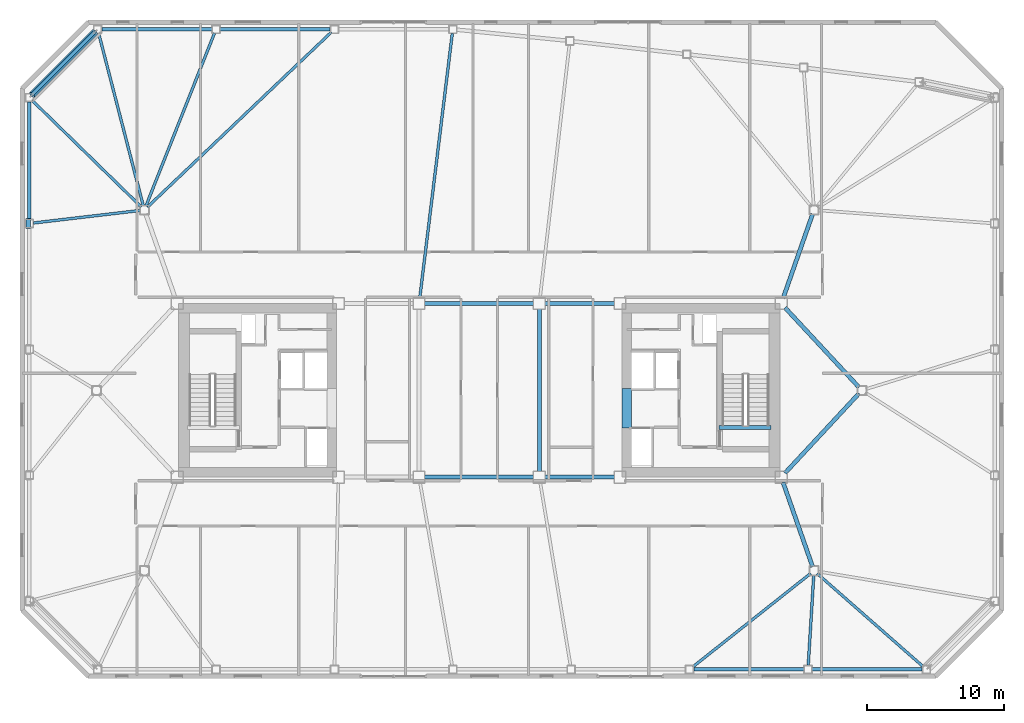
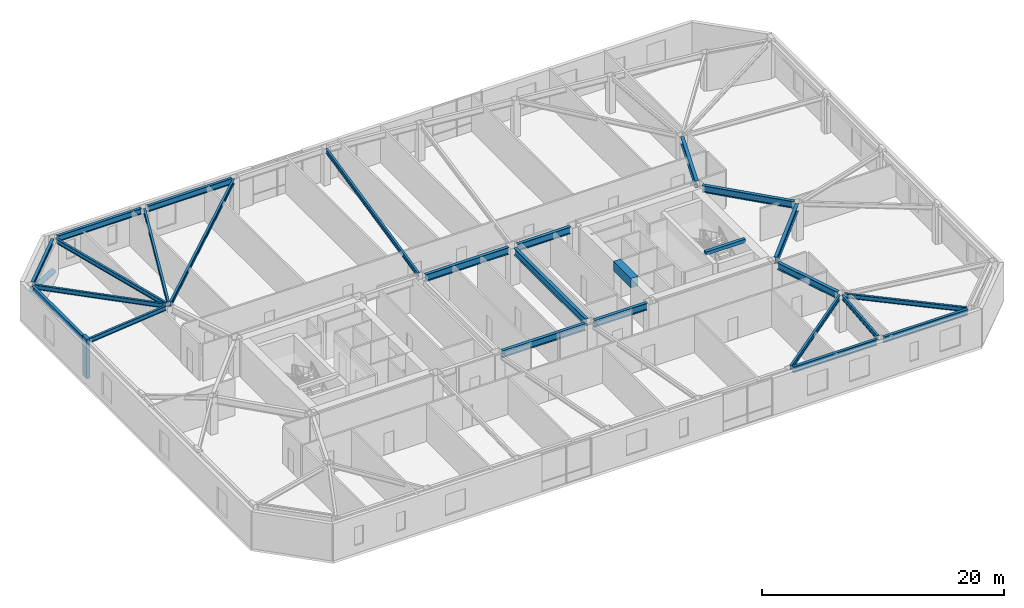
# One storey, part 5 of 18: 26 beams, 2 members.
"""IFC4 building model written with IfcOpenShell, lengths in metres."""

from ifc_helpers import new_model, si_unit, direction, frame, origin, origin_2d, place, context, subcontext, project, spatial, rectangle, hollow_circle, i_section, extrude, material, material_profile, profile_set, type_object, element, save


model = new_model("IFC4")

# Units and contexts
model_context = context("Model", 3, precision=1e-05, world=origin(), true_north=direction((0.0, 1.0)))
body_context = subcontext(model_context, "Body", "Model", "MODEL_VIEW")
ifc_project = project(units=[si_unit("LENGTHUNIT", "METRE"), si_unit("AREAUNIT", "SQUARE_METRE"), si_unit("VOLUMEUNIT", "CUBIC_METRE"), si_unit("PLANEANGLEUNIT", "RADIAN"), si_unit("MASSUNIT", "GRAM", prefix="KILO")], contexts=[model_context])

# Site, building, storey
site_placement = place(None, origin())
site = spatial("IfcSite", under=ifc_project, at=site_placement, CompositionType="ELEMENT")
building_placement = place(site_placement, origin())
building = spatial("IfcBuilding", under=site, at=building_placement, Name="Tavrogorsk Clinical Tower", CompositionType="ELEMENT")
storey_placement = place(building_placement, frame((0.0, 0.0, 200.199951171875)))
storey = spatial("IfcBuildingStorey", under=building, at=storey_placement, Name="L46", CompositionType="ELEMENT", Elevation=200.199951171875)

# Beam
ifc_material_1 = material(Name="Concrete B80", Category="concrete")
ifc_material_profile_1 = material_profile(ifc_material_1, rectangle(XDim=0.699951171875, YDim=0.949951171875, at=origin_2d()), Name="RC-CB-700x950")
ifc_profile_set_1 = profile_set([ifc_material_profile_1], Name="Concrete B80")
beam_type_1 = type_object("IfcBeamType", Name="CouplingBeam_RC700x950", PredefinedType="LINTEL", material=ifc_profile_set_1)
beam_1_placement = place(storey_placement, frame((10.800048828125, -2.75, 3.26513671875), z_axis=(0.0, 1.0, 0.0), x_axis=(-1.0, 0.0, 0.0)))
element("IfcBeam", 1, at=beam_1_placement, inside=storey, type_object=beam_type_1, Name="L46 Core East Coupling Beam", PredefinedType="LINTEL", context=body_context, shape_type="SweptSolid", body=[
    extrude(rectangle(XDim=0.699951171875, YDim=0.949951171875, at=origin_2d()), origin(), (0.0, 0.0, 1.0), 2.89990234375),
])

# Member
ifc_material_2 = material(Name="Structural steel S440", Category="steel")
ifc_material_profile_2 = material_profile(ifc_material_2, hollow_circle(Radius=0.25390625, WallThickness=0.02001953125, at=origin_2d()), Name="CHS-508x20")
ifc_profile_set_2 = profile_set([ifc_material_profile_2], Name="Structural steel S440")
member_type_1 = type_object("IfcMemberType", Name="ExoBrace_CHS508", PredefinedType="BRACE", material=ifc_profile_set_2)
member_1_placement = place(storey_placement, frame((-28.12255859375, 26.217529296875, 0.4130859375), z_axis=(-0.657758524103, -0.657758524103, 0.367025132572), x_axis=(0.707106781187, -0.707106781187, 0.0)))
element("IfcMember", 2, at=member_1_placement, inside=storey, type_object=member_type_1, Name="L46 Corner Exoskeleton Brace N8-W1", PredefinedType="BRACE", context=body_context, shape_type="SweptSolid", body=[
    extrude(hollow_circle(Radius=0.25390625, WallThickness=0.02001953125, at=origin_2d()), origin(), (0.0, 0.0, 1.0), 6.98583984375),
])

# Beams
ifc_material_3 = material(Name="Structural steel S355", Category="steel")
ifc_material_profile_3 = material_profile(ifc_material_3, i_section(OverallWidth=0.199951171875, OverallDepth=0.449951171875, WebThickness=0.011474609375, FlangeThickness=0.01806640625, at=origin_2d()), Name="B-450x200x11.5x18")
ifc_profile_set_3 = profile_set([ifc_material_profile_3], Name="Structural steel S355")
beam_type_2 = type_object("IfcBeamType", Name="FloorBeam_B450", PredefinedType="BEAM", material=ifc_profile_set_3)
beam_2_placement = place(storey_placement, frame((24.257080078125, -13.392578125, 3.51513671875), z_axis=(-0.783561002819, -0.621314859682, 0.0), x_axis=(0.621314859682, -0.783561002819, 0.0)))
element("IfcBeam", 3, at=beam_2_placement, inside=storey, type_object=beam_type_2, Name="L46 Radial Floor Beam S6", PredefinedType="BEAM", context=body_context, shape_type="SweptSolid", body=[
    extrude(i_section(OverallWidth=0.199951171875, OverallDepth=0.449951171875, WebThickness=0.011474609375, FlangeThickness=0.01806640625, at=origin_2d()), origin(), (0.0, 0.0, 1.0), 11.002685546875),
])
beam_3_placement = place(storey_placement, frame((24.48095703125, -13.509521484375, 3.51513671875), z_axis=(-0.061224865528, -0.998123998229, 0.0), x_axis=(0.998123998229, -0.061224865528, 0.0)))
element("IfcBeam", 4, at=beam_3_placement, inside=storey, type_object=beam_type_2, Name="L46 Radial Floor Beam S7", PredefinedType="BEAM", context=body_context, shape_type="SweptSolid", body=[
    extrude(i_section(OverallWidth=0.199951171875, OverallDepth=0.449951171875, WebThickness=0.011474609375, FlangeThickness=0.01806640625, at=origin_2d()), origin(), (0.0, 0.0, 1.0), 6.615478515625),
])
beam_4_placement = place(storey_placement, frame((24.73291015625, -13.404541015625, 3.51513671875), z_axis=(0.751322664981, -0.659935037019, 0.0), x_axis=(0.659935037019, 0.751322664981, 0.0)))
element("IfcBeam", 5, at=beam_4_placement, inside=storey, type_object=beam_type_2, Name="L46 Radial Floor Beam S8", PredefinedType="BEAM", context=body_context, shape_type="SweptSolid", body=[
    extrude(i_section(OverallWidth=0.199951171875, OverallDepth=0.449951171875, WebThickness=0.011474609375, FlangeThickness=0.01806640625, at=origin_2d()), origin(), (0.0, 0.0, 1.0), 10.322509765625),
])
beam_5_placement = place(storey_placement, frame((-4.349853515625, 6.7568359375, 3.51513671875), z_axis=(0.122074764034, 0.992520907581, 0.0), x_axis=(-0.992520907581, 0.122074764034, 0.0)))
element("IfcBeam", 6, at=beam_5_placement, inside=storey, type_object=beam_type_2, Name="L46 Radial Floor Beam N5", PredefinedType="BEAM", context=body_context, shape_type="SweptSolid", body=[
    extrude(i_section(OverallWidth=0.199951171875, OverallDepth=0.449951171875, WebThickness=0.011474609375, FlangeThickness=0.01806640625, at=origin_2d()), origin(), (0.0, 0.0, 1.0), 19.503173828125),
])
beam_6_placement = place(storey_placement, frame((-24.275390625, 13.41357421875, 3.51513671875), z_axis=(0.724748919983, 0.689013064451, 0.0), x_axis=(-0.689013064451, 0.724748919983, 0.0)))
element("IfcBeam", 7, at=beam_6_placement, inside=storey, type_object=beam_type_2, Name="L46 Radial Floor Beam N6", PredefinedType="BEAM", context=body_context, shape_type="SweptSolid", body=[
    extrude(i_section(OverallWidth=0.199951171875, OverallDepth=0.449951171875, WebThickness=0.011474609375, FlangeThickness=0.01806640625, at=origin_2d()), origin(), (0.0, 0.0, 1.0), 18.56884765625),
])
beam_7_placement = place(storey_placement, frame((-24.3857421875, 13.48828125, 3.51513671875), z_axis=(0.368659944508, 0.929564330918, 0.0), x_axis=(-0.929564330918, 0.368659944508, 0.0)))
element("IfcBeam", 8, at=beam_7_placement, inside=storey, type_object=beam_type_2, Name="L46 Radial Floor Beam N7", PredefinedType="BEAM", context=body_context, shape_type="SweptSolid", body=[
    extrude(i_section(OverallWidth=0.199951171875, OverallDepth=0.449951171875, WebThickness=0.011474609375, FlangeThickness=0.01806640625, at=origin_2d()), origin(), (0.0, 0.0, 1.0), 13.603759765625),
])
beam_8_placement = place(storey_placement, frame((-24.57763671875, 13.5, 3.51513671875), z_axis=(-0.250445465048, 0.968130708653, 0.0), x_axis=(-0.968130708653, -0.250445465048, 0.0)))
element("IfcBeam", 9, at=beam_8_placement, inside=storey, type_object=beam_type_2, Name="L46 Radial Floor Beam N8", PredefinedType="BEAM", context=body_context, shape_type="SweptSolid", body=[
    extrude(i_section(OverallWidth=0.199951171875, OverallDepth=0.449951171875, WebThickness=0.011474609375, FlangeThickness=0.01806640625, at=origin_2d()), origin(), (0.0, 0.0, 1.0), 13.037353515625),
])
beam_9_placement = place(storey_placement, frame((-24.721923828125, 13.41650390625, 3.51513671875), z_axis=(-0.715552053538, 0.698559416712, 0.0), x_axis=(-0.698559416712, -0.715552053538, 0.0)))
element("IfcBeam", 10, at=beam_9_placement, inside=storey, type_object=beam_type_2, Name="L46 Radial Floor Beam W1", PredefinedType="BEAM", context=body_context, shape_type="SweptSolid", body=[
    extrude(i_section(OverallWidth=0.199951171875, OverallDepth=0.449951171875, WebThickness=0.011474609375, FlangeThickness=0.01806640625, at=origin_2d()), origin(), (0.0, 0.0, 1.0), 11.149169921875),
])
beam_10_placement = place(storey_placement, frame((-24.807861328125, 13.163818359375, 3.51513671875), z_axis=(-0.993156539687, -0.116790785927, 0.0), x_axis=(0.116790785927, -0.993156539687, 0.0)))
element("IfcBeam", 11, at=beam_10_placement, inside=storey, type_object=beam_type_2, Name="L46 Radial Floor Beam W2", PredefinedType="BEAM", context=body_context, shape_type="SweptSolid", body=[
    extrude(i_section(OverallWidth=0.199951171875, OverallDepth=0.449951171875, WebThickness=0.011474609375, FlangeThickness=0.01806640625, at=origin_2d()), origin(), (0.0, 0.0, 1.0), 7.85986328125),
])

# Member
ifc_material_4 = material(Name="Precast concrete B45 with limestone cladding", Category="masonry")
ifc_material_profile_4 = material_profile(ifc_material_4, rectangle(XDim=0.320068359375, YDim=0.719970703125, at=origin_2d()), Name="LIMESTONE-FIN-320x720")
ifc_profile_set_4 = profile_set([ifc_material_profile_4], Name="Precast concrete B45 with limestone cladding")
member_type_2 = type_object("IfcMemberType", Name="LimestonePleatFin_320x720", PredefinedType="USERDEFINED", material=ifc_profile_set_4)
member_2_placement = place(storey_placement, frame((-33.0, 12.2099609375, 0.0), z_axis=(0.0, 0.0, 1.0), x_axis=(1.0, 0.0, 0.0)))
element("IfcMember", 12, at=member_2_placement, inside=storey, type_object=member_type_2, Name="L46 W Pleated Stone Fin 1", ObjectType="FIN", PredefinedType="USERDEFINED", context=body_context, shape_type="SweptSolid", body=[
    extrude(rectangle(XDim=0.320068359375, YDim=0.719970703125, at=origin_2d()), origin(), (0.0, 0.0, 1.0), 4.0),
])

# Beams
ifc_material_5 = material(Name="Structural steel S390", Category="steel")
ifc_material_profile_5 = material_profile(ifc_material_5, i_section(OverallWidth=0.300048828125, OverallDepth=0.699951171875, WebThickness=0.01708984375, FlangeThickness=0.028076171875, at=origin_2d()), Name="B-700x300x17x28")
ifc_profile_set_5 = profile_set([ifc_material_profile_5], Name="Structural steel S390")
beam_type_3 = type_object("IfcBeamType", Name="PrimaryGirder_B700", PredefinedType="USERDEFINED", material=ifc_profile_set_5)
for number, where, z_axis, x_axis, name in (
    (13, (-3.989990234375, -6.35009765625, 3.39013671875), (1.0, 0.0, 0.0), (0.0, 1.0, 0.0), "L46 Primary Spine Girder MG-03"),
    (14, (-3.989990234375, 6.35009765625, 3.39013671875), (1.0, 0.0, 0.0), (0.0, 1.0, 0.0), "L46 Primary Spine Girder MG-04"),
):
    element("IfcBeam", number, at=place(storey_placement, frame(where, z_axis=z_axis, x_axis=x_axis)), inside=storey, type_object=beam_type_3, Name=name, ObjectType="GIRDER", PredefinedType="USERDEFINED", context=body_context, shape_type="SweptSolid", body=[
        extrude(i_section(OverallWidth=0.300048828125, OverallDepth=0.699951171875, WebThickness=0.01708984375, FlangeThickness=0.028076171875, at=origin_2d()), origin(), (0.0, 0.0, 1.0), 7.97998046875),
    ])
for number, where, z_axis, x_axis, name in (
    (15, (4.81005859375, -6.35009765625, 3.39013671875), (1.0, 0.0, 0.0), (0.0, 1.0, 0.0), "L46 Primary Spine Girder MG-05"),
    (16, (4.81005859375, 6.35009765625, 3.39013671875), (1.0, 0.0, 0.0), (0.0, 1.0, 0.0), "L46 Primary Spine Girder MG-06"),
):
    element("IfcBeam", number, at=place(storey_placement, frame(where, z_axis=z_axis, x_axis=x_axis)), inside=storey, type_object=beam_type_3, Name=name, ObjectType="GIRDER", PredefinedType="USERDEFINED", context=body_context, shape_type="SweptSolid", body=[
        extrude(i_section(OverallWidth=0.300048828125, OverallDepth=0.699951171875, WebThickness=0.01708984375, FlangeThickness=0.028076171875, at=origin_2d()), origin(), (0.0, 0.0, 1.0), 5.079833984375),
    ])
beam_11_placement = place(storey_placement, frame((4.39990234375, -5.93994140625, 3.39013671875), z_axis=(0.0, 1.0, 0.0), x_axis=(-1.0, 0.0, 0.0)))
element("IfcBeam", 17, at=beam_11_placement, inside=storey, type_object=beam_type_3, Name="L46 Primary Spine Girder MG-08", ObjectType="GIRDER", PredefinedType="USERDEFINED", context=body_context, shape_type="SweptSolid", body=[
    extrude(i_section(OverallWidth=0.300048828125, OverallDepth=0.699951171875, WebThickness=0.01708984375, FlangeThickness=0.028076171875, at=origin_2d()), origin(), (0.0, 0.0, 1.0), 11.8798828125),
])
for number, where, z_axis, x_axis, name in (
    (18, (24.3974609375, -12.907470703125, 3.39013671875), (-0.33065312634, 0.94375235631, 0.0), (-0.94375235631, -0.33065312634, 0.0), "L46 Spine Link Girder OPG-2"),
    (19, (24.3974609375, 12.907470703125, 3.39013671875), (-0.33065312634, -0.94375235631, 0.0), (0.94375235631, -0.33065312634, 0.0), "L46 Spine Link Girder OPG-4"),
):
    element("IfcBeam", number, at=place(storey_placement, frame(where, z_axis=z_axis, x_axis=x_axis)), inside=storey, type_object=beam_type_3, Name=name, ObjectType="GIRDER", PredefinedType="USERDEFINED", context=body_context, shape_type="SweptSolid", body=[
        extrude(i_section(OverallWidth=0.300048828125, OverallDepth=0.699951171875, WebThickness=0.01708984375, FlangeThickness=0.028076171875, at=origin_2d()), origin(), (0.0, 0.0, 1.0), 6.5380859375),
    ])
for number, where, z_axis, x_axis, name in (
    (20, (27.7890625, -0.22705078125, 3.39013671875), (-0.680673750312, -0.732586681312, 0.0), (0.732586681312, -0.680673750312, 0.0), "L46 Spine Link Girder OPG-7"),
    (21, (27.7890625, 0.22705078125, 3.39013671875), (-0.680673750312, 0.732586681312, 0.0), (-0.732586681312, -0.680673750312, 0.0), "L46 Spine Link Girder OPG-8"),
):
    element("IfcBeam", number, at=place(storey_placement, frame(where, z_axis=z_axis, x_axis=x_axis)), inside=storey, type_object=beam_type_3, Name=name, ObjectType="GIRDER", PredefinedType="USERDEFINED", context=body_context, shape_type="SweptSolid", body=[
        extrude(i_section(OverallWidth=0.300048828125, OverallDepth=0.699951171875, WebThickness=0.01708984375, FlangeThickness=0.028076171875, at=origin_2d()), origin(), (0.0, 0.0, 1.0), 7.947998046875),
    ])
ifc_material_6 = material(Name="Structural steel S390", Category="steel")
ifc_material_profile_6 = material_profile(ifc_material_6, i_section(OverallWidth=0.260009765625, OverallDepth=0.60009765625, WebThickness=0.014892578125, FlangeThickness=0.02392578125, at=origin_2d()), Name="B-600x260x15x24")
ifc_profile_set_6 = profile_set([ifc_material_profile_6], Name="Structural steel S390")
beam_type_4 = type_object("IfcBeamType", Name="SpandrelBeam_B600", PredefinedType="SPANDREL", material=ifc_profile_set_6)
beam_12_placement = place(storey_placement, frame((15.702392578125, -20.419921875, 3.43994140625), z_axis=(1.0, 0.0, 0.0), x_axis=(0.0, 1.0, 0.0)))
element("IfcBeam", 22, at=beam_12_placement, inside=storey, type_object=beam_type_4, Name="L46 Perimeter Spandrel S6-S7", PredefinedType="SPANDREL", context=body_context, shape_type="SweptSolid", body=[
    extrude(i_section(OverallWidth=0.260009765625, OverallDepth=0.60009765625, WebThickness=0.014892578125, FlangeThickness=0.02392578125, at=origin_2d()), origin(), (0.0, 0.0, 1.0), 8.046630859375),
])
beam_13_placement = place(storey_placement, frame((24.364990234375, -20.419921875, 3.43994140625), z_axis=(1.0, 0.0, 0.0), x_axis=(0.0, 1.0, 0.0)))
element("IfcBeam", 23, at=beam_13_placement, inside=storey, type_object=beam_type_4, Name="L46 Perimeter Spandrel S7-S8", PredefinedType="SPANDREL", context=body_context, shape_type="SweptSolid", body=[
    extrude(i_section(OverallWidth=0.260009765625, OverallDepth=0.60009765625, WebThickness=0.014892578125, FlangeThickness=0.02392578125, at=origin_2d()), origin(), (0.0, 0.0, 1.0), 8.047119140625),
])
for number, where, z_axis, x_axis, name in (
    (24, (-10.90234375, 26.419921875, 3.43994140625), (-1.0, 0.0, 0.0), (0.0, -1.0, 0.0), "L46 Perimeter Spandrel N6-N7"),
    (25, (-19.565185546875, 26.419921875, 3.43994140625), (-1.0, 0.0, 0.0), (0.0, -1.0, 0.0), "L46 Perimeter Spandrel N7-N8"),
):
    element("IfcBeam", number, at=place(storey_placement, frame(where, z_axis=z_axis, x_axis=x_axis)), inside=storey, type_object=beam_type_4, Name=name, PredefinedType="SPANDREL", context=body_context, shape_type="SweptSolid", body=[
        extrude(i_section(OverallWidth=0.260009765625, OverallDepth=0.60009765625, WebThickness=0.014892578125, FlangeThickness=0.02392578125, at=origin_2d()), origin(), (0.0, 0.0, 1.0), 8.046875),
    ])
beam_14_placement = place(storey_placement, frame((-28.1376953125, 26.2021484375, 3.43994140625), z_axis=(-0.707106781187, -0.707106781187, 0.0), x_axis=(0.707106781187, -0.707106781187, 0.0)))
element("IfcBeam", 26, at=beam_14_placement, inside=storey, type_object=beam_type_4, Name="L46 Perimeter Spandrel N8-W1", PredefinedType="SPANDREL", context=body_context, shape_type="SweptSolid", body=[
    extrude(i_section(OverallWidth=0.260009765625, OverallDepth=0.60009765625, WebThickness=0.014892578125, FlangeThickness=0.02392578125, at=origin_2d()), origin(), (0.0, 0.0, 1.0), 6.455078125),
])
beam_15_placement = place(storey_placement, frame((-32.919921875, 21.112060546875, 3.43994140625), z_axis=(0.0, -1.0, 0.0), x_axis=(1.0, 0.0, 0.0)))
element("IfcBeam", 27, at=beam_15_placement, inside=storey, type_object=beam_type_4, Name="L46 Perimeter Spandrel W1-W2", PredefinedType="SPANDREL", context=body_context, shape_type="SweptSolid", body=[
    extrude(i_section(OverallWidth=0.260009765625, OverallDepth=0.60009765625, WebThickness=0.014892578125, FlangeThickness=0.02392578125, at=origin_2d()), origin(), (0.0, 0.0, 1.0), 8.593994140625),
])
ifc_material_7 = material(Name="Concrete B60", Category="concrete")
ifc_material_profile_7 = material_profile(ifc_material_7, rectangle(XDim=0.300048828125, YDim=0.35009765625, at=origin_2d()), Name="RC-SHB-300x350")
ifc_profile_set_7 = profile_set([ifc_material_profile_7], Name="Concrete B60")
beam_type_5 = type_object("IfcBeamType", Name="StairHeaderBeam_RC300x350", PredefinedType="BEAM", material=ifc_profile_set_7)
beam_16_placement = place(storey_placement, frame((17.550048828125, -2.719970703125, 3.824951171875), z_axis=(1.0, 0.0, 0.0), x_axis=(0.0, 1.0, 0.0)))
element("IfcBeam", 28, at=beam_16_placement, inside=storey, type_object=beam_type_5, Name="L47 ST-E Landing Header Beam", PredefinedType="BEAM", context=body_context, shape_type="SweptSolid", body=[
    extrude(rectangle(XDim=0.300048828125, YDim=0.35009765625, at=origin_2d()), origin(), (0.0, 0.0, 1.0), 3.800048828125),
])

save(model, "model.ifc")
